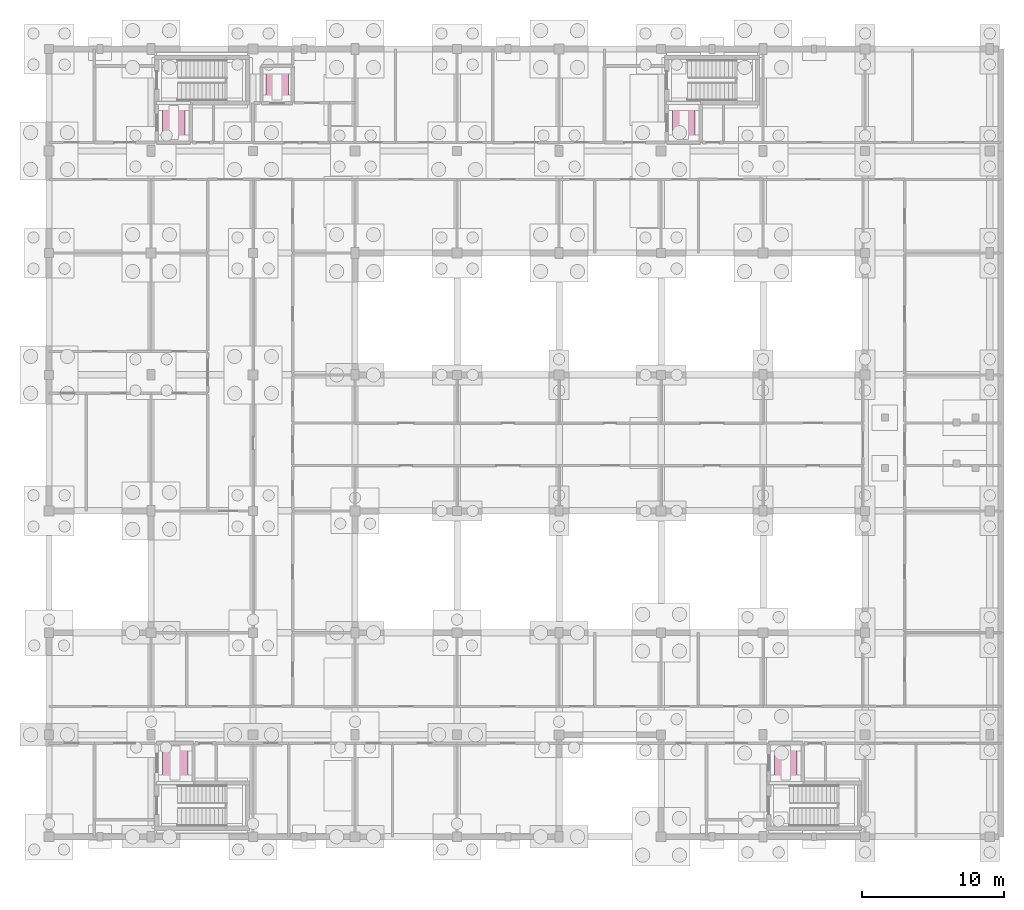
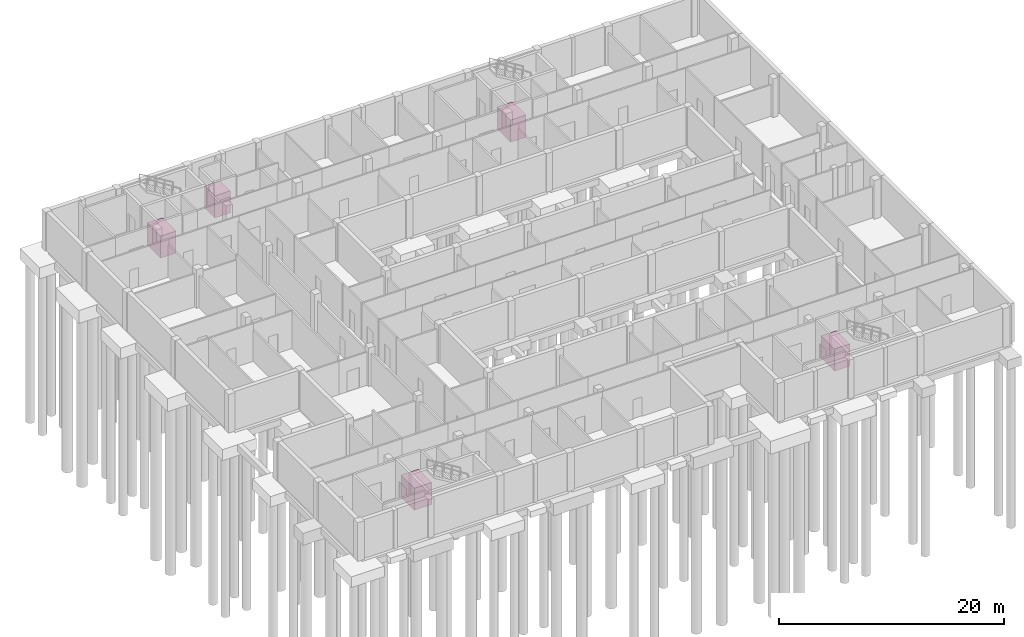
# One storey, part 17 of 17: 5 transport elements.
"""IFC4 building model written with IfcOpenShell, lengths in metres."""

from ifc_helpers import new_model, si_unit, direction, frame, origin, origin_2d, place, context, subcontext, project, spatial, rectangle, extrude, material, type_object, element, save


model = new_model("IFC4")

# Units and contexts
model_context = context("Model", 3, precision=1e-05, world=origin(), true_north=direction((0.0, 1.0)))
body_context = subcontext(model_context, "Body", "Model", "MODEL_VIEW")
ifc_project = project(units=[si_unit("LENGTHUNIT", "METRE"), si_unit("AREAUNIT", "SQUARE_METRE"), si_unit("VOLUMEUNIT", "CUBIC_METRE"), si_unit("PLANEANGLEUNIT", "RADIAN"), si_unit("MASSUNIT", "GRAM", prefix="KILO")], contexts=[model_context])

# Site, building, storey
site_placement = place(None, origin())
site = spatial("IfcSite", under=ifc_project, at=site_placement, CompositionType="ELEMENT")
building_placement = place(site_placement, origin())
building = spatial("IfcBuilding", under=site, at=building_placement, Name="Hawrajan Terrace Health Centre", CompositionType="ELEMENT")
storey_placement = place(building_placement, frame((0.0, 0.0, -4.5)))
storey = spatial("IfcBuildingStorey", under=building, at=storey_placement, Name="B1", CompositionType="ELEMENT", Elevation=-4.5)

# Transport elements
ifc_material_1 = material(Name="Anodized bronze and stainless steel passenger elevator car", Category="steel")
transport_element_type_1 = type_object("IfcTransportElementType", Name="AccessiblePassengerLift_1350kg", PredefinedType="ELEVATOR", material=ifc_material_1)
transport_element_1_placement = place(storey_placement, frame((20.699951171875, 57.300048828125, 0.0), z_axis=(0.0, 0.0, 1.0), x_axis=(1.0, 0.0, 0.0)))
element("IfcTransportElement", 1, at=transport_element_1_placement, inside=storey, type_object=transport_element_type_1, Name="Elevator LC-02", PredefinedType="ELEVATOR", context=body_context, shape_type="SweptSolid", body=[
    extrude(rectangle(XDim=1.60009765625, YDim=1.800048828125, at=origin_2d()), origin(), (0.0, 0.0, 1.0), 2.39990234375),
])
ifc_material_2 = material(Name="Brushed stainless steel stretcher elevator car", Category="steel")
transport_element_type_2 = type_object("IfcTransportElementType", Name="StretcherFireLift_2000kg", PredefinedType="ELEVATOR", material=ifc_material_2)
for number, where, z_axis, x_axis, name in (
    (2, (13.39990234375, 54.60009765625, 0.0), (0.0, 0.0, 1.0), (1.0, 0.0, 0.0), "Elevator LC-01"),
    (3, (49.39990234375, 54.60009765625, 0.0), (0.0, 0.0, 1.0), (1.0, 0.0, 0.0), "Elevator LC-03"),
    (4, (56.60009765625, 9.39990234375, 0.0), (0.0, 0.0, 1.0), (1.0, 0.0, 0.0), "Elevator LC-05"),
):
    element("IfcTransportElement", number, at=place(storey_placement, frame(where, z_axis=z_axis, x_axis=x_axis)), inside=storey, type_object=transport_element_type_2, Name=name, PredefinedType="ELEVATOR", context=body_context, shape_type="SweptSolid", body=[
        extrude(rectangle(XDim=1.60009765625, YDim=2.39990234375, at=origin_2d()), origin(), (0.0, 0.0, 1.0), 2.39990234375),
    ])
ifc_material_3 = material(Name="Brushed stainless steel surgical bed elevator car", Category="steel")
transport_element_type_3 = type_object("IfcTransportElementType", Name="SurgicalBedLift_2500kg", PredefinedType="ELEVATOR", material=ifc_material_3)
transport_element_2_placement = place(storey_placement, frame((13.5, 9.39990234375, 0.0), z_axis=(0.0, 0.0, 1.0), x_axis=(1.0, 0.0, 0.0)))
element("IfcTransportElement", 5, at=transport_element_2_placement, inside=storey, type_object=transport_element_type_3, Name="Elevator LC-04", PredefinedType="ELEVATOR", context=body_context, shape_type="SweptSolid", body=[
    extrude(rectangle(XDim=1.800048828125, YDim=2.39990234375, at=origin_2d()), origin(), (0.0, 0.0, 1.0), 2.39990234375),
])

save(model, "model.ifc")
